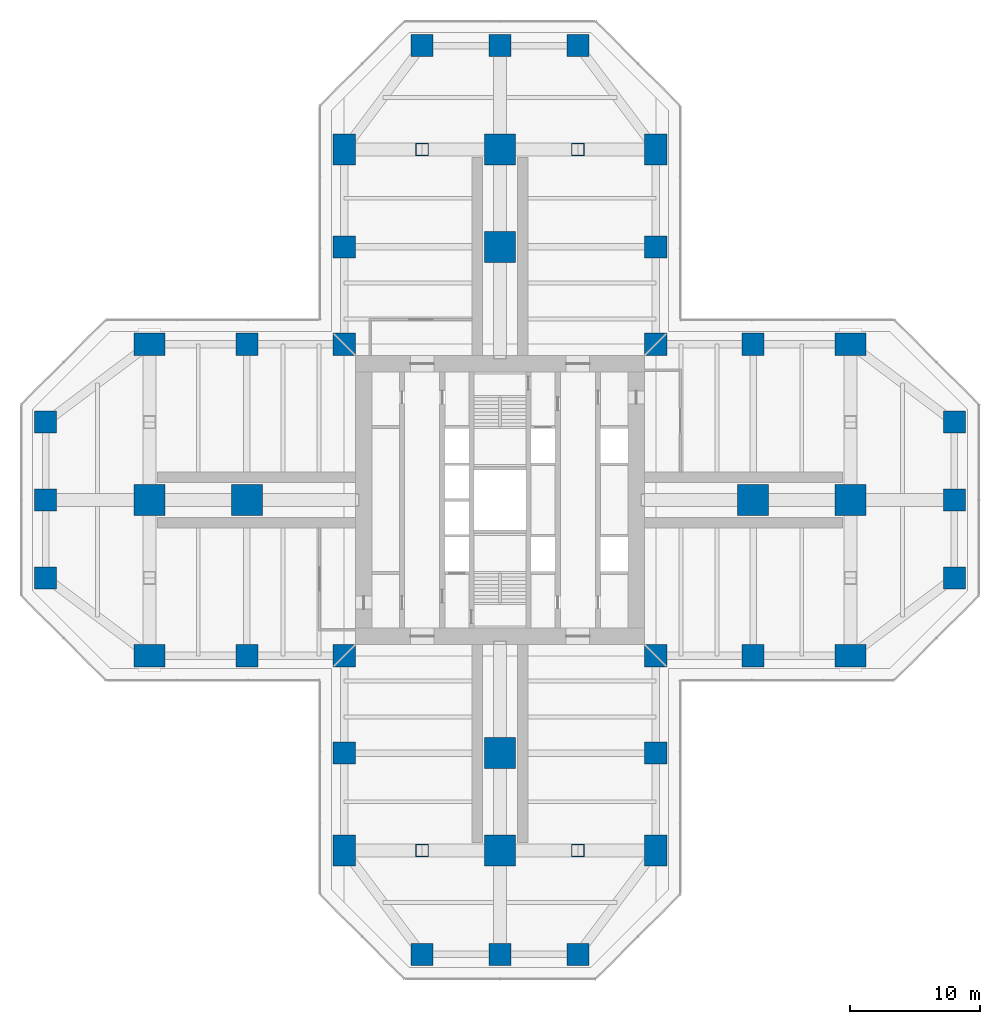
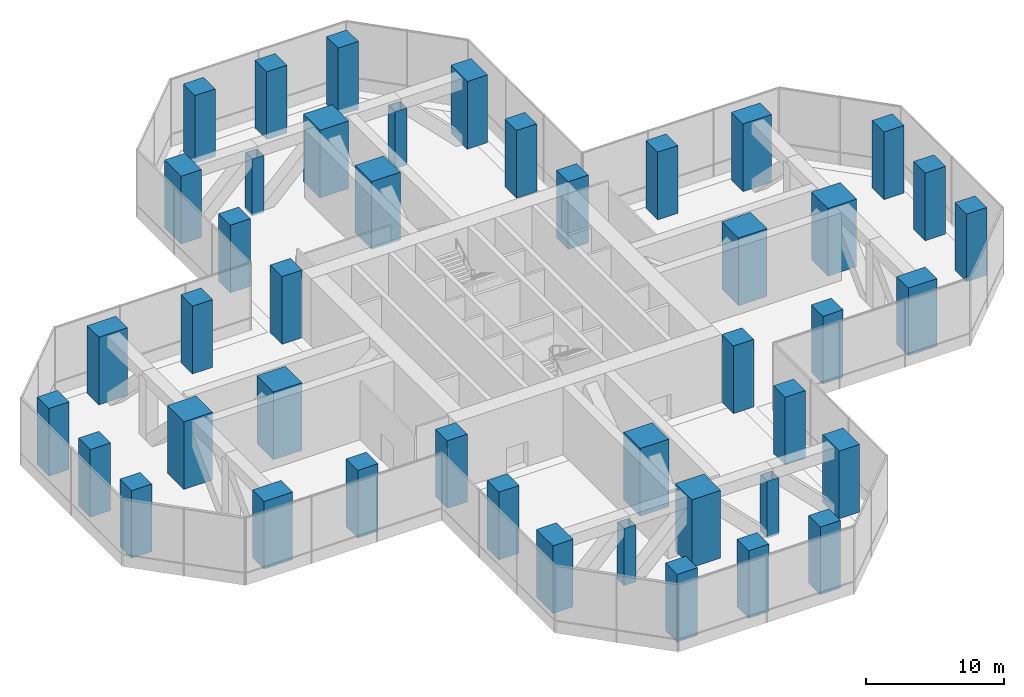
# One storey, part 1 of 20: 44 columns.
"""IFC4 building model written with IfcOpenShell, lengths in metres."""

from ifc_helpers import new_model, si_unit, direction, frame, origin, origin_2d, place, context, subcontext, project, spatial, rectangle, hollow_rectangle, extrude, material, material_profile, profile_set, type_object, element, save


model = new_model("IFC4")

# Units and contexts
model_context = context("Model", 3, precision=1e-05, world=origin(), true_north=direction((0.0, 1.0)))
body_context = subcontext(model_context, "Body", "Model", "MODEL_VIEW")
ifc_project = project(units=[si_unit("LENGTHUNIT", "METRE"), si_unit("AREAUNIT", "SQUARE_METRE"), si_unit("VOLUMEUNIT", "CUBIC_METRE"), si_unit("PLANEANGLEUNIT", "RADIAN"), si_unit("MASSUNIT", "GRAM", prefix="KILO")], contexts=[model_context])

# Site, building, storey
site_placement = place(None, origin())
site = spatial("IfcSite", under=ifc_project, at=site_placement, CompositionType="ELEMENT")
building_placement = place(site_placement, origin())
building = spatial("IfcBuilding", under=site, at=building_placement, Name="Mizan Broadcast Tower", CompositionType="ELEMENT")
storey_placement = place(building_placement, frame((0.0, 0.0, 118.199951171875)))
storey = spatial("IfcBuildingStorey", under=building, at=storey_placement, Name="L26", CompositionType="ELEMENT", Elevation=118.199951171875)

# Columns
ifc_material_1 = material(Name="Steel S460", Category="steel")
ifc_material_profile_1 = material_profile(ifc_material_1, hollow_rectangle(XDim=1.0, YDim=1.0, WallThickness=0.06005859375, at=origin_2d()), Name="BOX 1000x1000x60")
ifc_profile_set_1 = profile_set([ifc_material_profile_1], Name="Steel S460")
column_type_1 = type_object("IfcColumnType", Name="BELT TRUSS BT2 TRANSFER POST BOX 1000x1000x60", PredefinedType="COLUMN", material=ifc_profile_set_1)
for number, where, z_axis, x_axis, name in (
    (1, (6.0, 27.0, -0.179931640625), (0.0, 0.0, 1.0), (1.0, 0.0, 0.0), "Belt truss BT2-N27 transfer post 1"),
    (2, (-6.0, 27.0, -0.179931640625), (0.0, 0.0, 1.0), (1.0, 0.0, 0.0), "Belt truss BT2-N27 transfer post 3"),
    (3, (-6.0, -27.0, -0.179931640625), (0.0, 0.0, 1.0), (1.0, 0.0, 0.0), "Belt truss BT2-S27 transfer post 1"),
    (4, (6.0, -27.0, -0.179931640625), (0.0, 0.0, 1.0), (1.0, 0.0, 0.0), "Belt truss BT2-S27 transfer post 3"),
):
    element("IfcColumn", number, at=place(storey_placement, frame(where, z_axis=z_axis, x_axis=x_axis)), inside=storey, type_object=column_type_1, Name=name, PredefinedType="COLUMN", context=body_context, shape_type="SweptSolid", body=[
        extrude(hollow_rectangle(XDim=1.0, YDim=1.0, WallThickness=0.06005859375, at=origin_2d()), origin(), (0.0, 0.0, 1.0), 5.050048828125),
    ])
ifc_material_2 = material(Name="Concrete C70/85", Category="concrete")
ifc_material_profile_2 = material_profile(ifc_material_2, rectangle(XDim=1.699951171875, YDim=1.699951171875, at=origin_2d()), Name="RC 1700x1700")
ifc_profile_set_2 = profile_set([ifc_material_profile_2], Name="Concrete C70/85")
column_type_2 = type_object("IfcColumnType", Name="RC COLUMN 1700x1700 C70/85", PredefinedType="COLUMN", material=ifc_profile_set_2)
for number, where, z_axis, x_axis, name in (
    (5, (-6.0, -35.0, 0.0), (0.0, 0.0, 1.0), (1.0, 0.0, 0.0), "Column 5/A L26"),
    (6, (0.0, -35.0, 0.0), (0.0, 0.0, 1.0), (1.0, 0.0, 0.0), "Column 6/A L26"),
    (7, (6.0, -35.0, 0.0), (0.0, 0.0, 1.0), (1.0, 0.0, 0.0), "Column 7/A L26"),
    (8, (-12.0, -19.5, 0.0), (0.0, 0.0, 1.0), (1.0, 0.0, 0.0), "Column 4/C L26"),
    (9, (12.0, -19.5, 0.0), (0.0, 0.0, 1.0), (1.0, 0.0, 0.0), "Column 8/C L26"),
    (10, (-19.5, -12.0, 0.0), (0.0, 0.0, 1.0), (1.0, 0.0, 0.0), "Column 3/D L26"),
    (11, (-12.0, -12.0, 0.0), (0.0, 0.0, 1.0), (1.0, 0.0, 0.0), "Column 4/D L26"),
    (12, (12.0, -12.0, 0.0), (0.0, 0.0, 1.0), (1.0, 0.0, 0.0), "Column 8/D L26"),
    (13, (19.5, -12.0, 0.0), (0.0, 0.0, 1.0), (1.0, 0.0, 0.0), "Column 9/D L26"),
    (14, (-35.0, -6.0, 0.0), (0.0, 0.0, 1.0), (1.0, 0.0, 0.0), "Column 1/E L26"),
    (15, (35.0, -6.0, 0.0), (0.0, 0.0, 1.0), (1.0, 0.0, 0.0), "Column 11/E L26"),
    (16, (-35.0, 0.0, 0.0), (0.0, 0.0, 1.0), (1.0, 0.0, 0.0), "Column 1/F L26"),
    (17, (35.0, 0.0, 0.0), (0.0, 0.0, 1.0), (1.0, 0.0, 0.0), "Column 11/F L26"),
    (18, (-35.0, 6.0, 0.0), (0.0, 0.0, 1.0), (1.0, 0.0, 0.0), "Column 1/G L26"),
    (19, (35.0, 6.0, 0.0), (0.0, 0.0, 1.0), (1.0, 0.0, 0.0), "Column 11/G L26"),
    (20, (-19.5, 12.0, 0.0), (0.0, 0.0, 1.0), (1.0, 0.0, 0.0), "Column 3/H L26"),
    (21, (-12.0, 12.0, 0.0), (0.0, 0.0, 1.0), (1.0, 0.0, 0.0), "Column 4/H L26"),
    (22, (12.0, 12.0, 0.0), (0.0, 0.0, 1.0), (1.0, 0.0, 0.0), "Column 8/H L26"),
    (23, (19.5, 12.0, 0.0), (0.0, 0.0, 1.0), (1.0, 0.0, 0.0), "Column 9/H L26"),
    (24, (-12.0, 19.5, 0.0), (0.0, 0.0, 1.0), (1.0, 0.0, 0.0), "Column 4/J L26"),
    (25, (12.0, 19.5, 0.0), (0.0, 0.0, 1.0), (1.0, 0.0, 0.0), "Column 8/J L26"),
    (26, (-6.0, 35.0, 0.0), (0.0, 0.0, 1.0), (1.0, 0.0, 0.0), "Column 5/L L26"),
    (27, (0.0, 35.0, 0.0), (0.0, 0.0, 1.0), (1.0, 0.0, 0.0), "Column 6/L L26"),
    (28, (6.0, 35.0, 0.0), (0.0, 0.0, 1.0), (1.0, 0.0, 0.0), "Column 7/L L26"),
):
    element("IfcColumn", number, at=place(storey_placement, frame(where, z_axis=z_axis, x_axis=x_axis)), inside=storey, type_object=column_type_2, Name=name, PredefinedType="COLUMN", context=body_context, shape_type="SweptSolid", body=[
        extrude(rectangle(XDim=1.699951171875, YDim=1.699951171875, at=origin_2d()), origin(), (0.0, 0.0, 1.0), 6.0),
    ])
ifc_material_3 = material(Name="Concrete C70/85", Category="concrete")
ifc_material_profile_3 = material_profile(ifc_material_3, rectangle(XDim=1.699951171875, YDim=2.39990234375, at=origin_2d()), Name="RC 1700x2400")
ifc_profile_set_3 = profile_set([ifc_material_profile_3], Name="Concrete C70/85")
column_type_3 = type_object("IfcColumnType", Name="RC COLUMN 1700x2400 C70/85", PredefinedType="COLUMN", material=ifc_profile_set_3)
for number, where, z_axis, x_axis, name in (
    (29, (-12.0, -27.0, 0.0), (0.0, 0.0, 1.0), (1.0, 0.0, 0.0), "Column 4/B L26"),
    (30, (12.0, -27.0, 0.0), (0.0, 0.0, 1.0), (1.0, 0.0, 0.0), "Column 8/B L26"),
    (31, (-27.0, -12.0, 0.0), (0.0, 0.0, 1.0), (0.0, 1.0, 0.0), "Column 2/D L26"),
    (32, (27.0, -12.0, 0.0), (0.0, 0.0, 1.0), (0.0, 1.0, 0.0), "Column 10/D L26"),
    (33, (-27.0, 12.0, 0.0), (0.0, 0.0, 1.0), (0.0, 1.0, 0.0), "Column 2/H L26"),
    (34, (27.0, 12.0, 0.0), (0.0, 0.0, 1.0), (0.0, 1.0, 0.0), "Column 10/H L26"),
    (35, (-12.0, 27.0, 0.0), (0.0, 0.0, 1.0), (1.0, 0.0, 0.0), "Column 4/K L26"),
    (36, (12.0, 27.0, 0.0), (0.0, 0.0, 1.0), (1.0, 0.0, 0.0), "Column 8/K L26"),
):
    element("IfcColumn", number, at=place(storey_placement, frame(where, z_axis=z_axis, x_axis=x_axis)), inside=storey, type_object=column_type_3, Name=name, PredefinedType="COLUMN", context=body_context, shape_type="SweptSolid", body=[
        extrude(rectangle(XDim=1.699951171875, YDim=2.39990234375, at=origin_2d()), origin(), (0.0, 0.0, 1.0), 6.0),
    ])
ifc_material_4 = material(Name="Concrete C70/85", Category="concrete")
ifc_material_profile_4 = material_profile(ifc_material_4, rectangle(XDim=2.39990234375, YDim=2.39990234375, at=origin_2d()), Name="RC 2400x2400")
ifc_profile_set_4 = profile_set([ifc_material_profile_4], Name="Concrete C70/85")
column_type_4 = type_object("IfcColumnType", Name="RC COLUMN 2400x2400 C70/85", PredefinedType="COLUMN", material=ifc_profile_set_4)
for number, where, z_axis, x_axis, name in (
    (37, (0.0, -27.0, 0.0), (0.0, 0.0, 1.0), (1.0, 0.0, 0.0), "Column 6/B L26"),
    (38, (0.0, -19.5, 0.0), (0.0, 0.0, 1.0), (1.0, 0.0, 0.0), "Column 6/C L26"),
    (39, (-27.0, 0.0, 0.0), (0.0, 0.0, 1.0), (1.0, 0.0, 0.0), "Column 2/F L26"),
    (40, (-19.5, 0.0, 0.0), (0.0, 0.0, 1.0), (1.0, 0.0, 0.0), "Column 3/F L26"),
    (41, (19.5, 0.0, 0.0), (0.0, 0.0, 1.0), (1.0, 0.0, 0.0), "Column 9/F L26"),
    (42, (27.0, 0.0, 0.0), (0.0, 0.0, 1.0), (1.0, 0.0, 0.0), "Column 10/F L26"),
    (43, (0.0, 19.5, 0.0), (0.0, 0.0, 1.0), (1.0, 0.0, 0.0), "Column 6/J L26"),
    (44, (0.0, 27.0, 0.0), (0.0, 0.0, 1.0), (1.0, 0.0, 0.0), "Column 6/K L26"),
):
    element("IfcColumn", number, at=place(storey_placement, frame(where, z_axis=z_axis, x_axis=x_axis)), inside=storey, type_object=column_type_4, Name=name, PredefinedType="COLUMN", context=body_context, shape_type="SweptSolid", body=[
        extrude(rectangle(XDim=2.39990234375, YDim=2.39990234375, at=origin_2d()), origin(), (0.0, 0.0, 1.0), 6.0),
    ])

save(model, "model.ifc")
